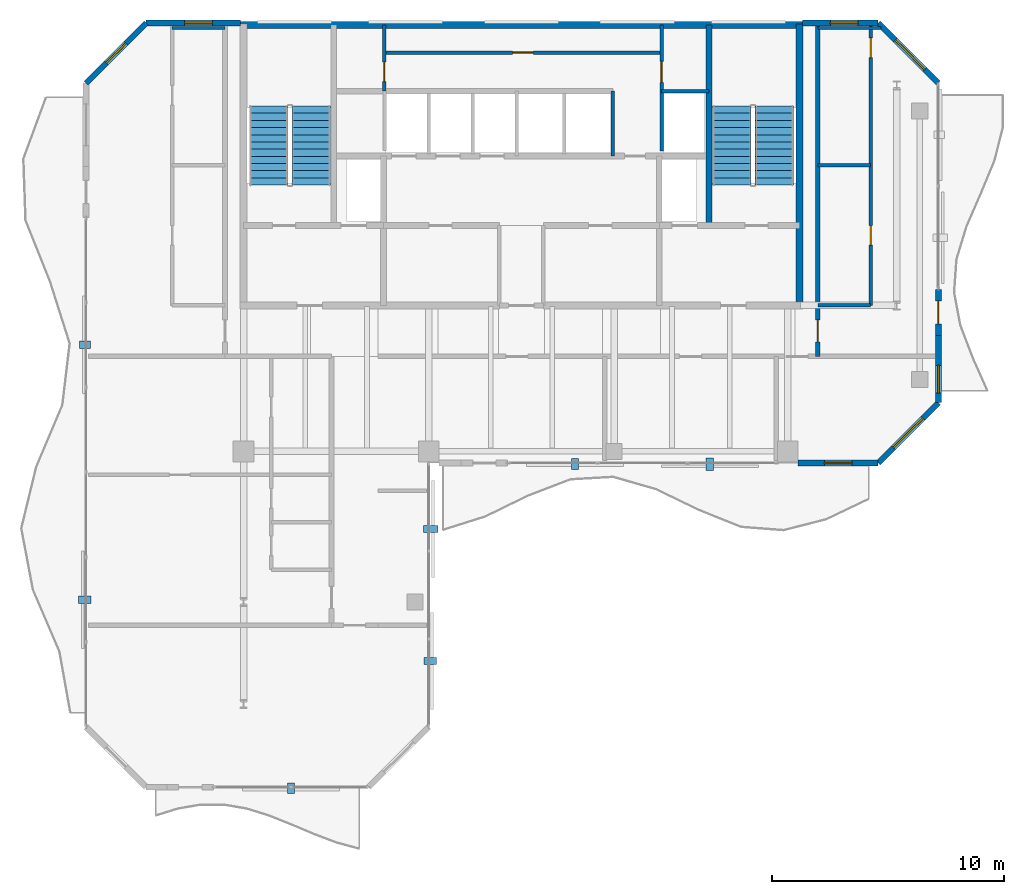
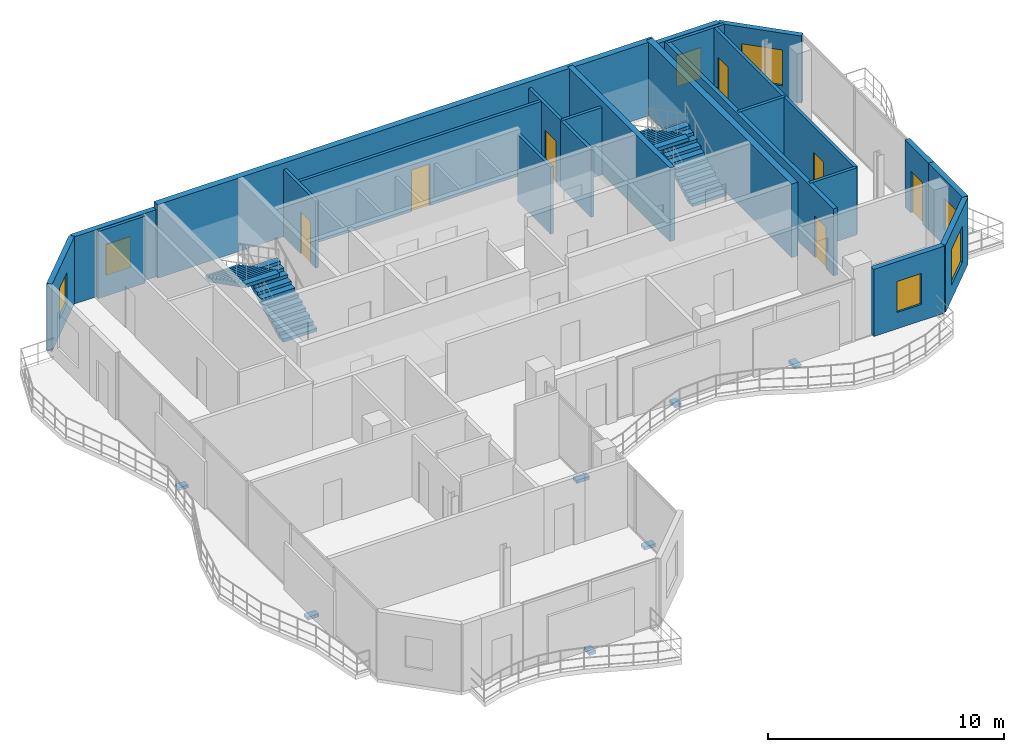
# One storey, part 13 of 16: 23 walls, 7 discrete accessories, 7 doors, 7 windows, 4 stair flights, 14 openings, 2 elements without a shape of their own.
"""IFC4 building model written with IfcOpenShell, lengths in metres."""

from ifc_helpers import new_model, si_unit, direction, frame, frame_2d, origin, origin_2d, place, context, subcontext, project, spatial, polyline, rectangle, outline, extrude, material, layer, layer_set, type_object, element, fill, aggregate, save


model = new_model("IFC4")

# Units and contexts
model_context = context("Model", 3, precision=1e-05, world=origin(), true_north=direction((0.0, 1.0)))
body_context = subcontext(model_context, "Body", "Model", "MODEL_VIEW")
ifc_project = project(units=[si_unit("LENGTHUNIT", "METRE"), si_unit("AREAUNIT", "SQUARE_METRE"), si_unit("VOLUMEUNIT", "CUBIC_METRE"), si_unit("PLANEANGLEUNIT", "RADIAN"), si_unit("MASSUNIT", "GRAM", prefix="KILO")], contexts=[model_context])

# Site, building, storey
site_placement = place(None, origin())
site = spatial("IfcSite", under=ifc_project, at=site_placement, CompositionType="ELEMENT")
building_placement = place(site_placement, origin())
building = spatial("IfcBuilding", under=site, at=building_placement, Name="Catumbela Crestline Tower", CompositionType="ELEMENT")
storey_placement = place(building_placement, frame((0.0, 0.0, 286.8)))
storey = spatial("IfcBuildingStorey", under=building, at=storey_placement, Name="L74", CompositionType="ELEMENT", Elevation=286.8)

# Walls
ifc_material_1 = material(Name="Concrete C50/60", Category="concrete")
ifc_layer_1 = layer(ifc_material_1, 0.25, Name="Concrete C50/60")
ifc_layer_set_1 = layer_set([ifc_layer_1], Name="Concrete C50/60")
wall_type_1 = type_object("IfcWallType", Name="CW-250D", PredefinedType="SHEAR", material=ifc_layer_set_1)
wall_1_placement = place(storey_placement, frame((36.1, 34.25, 0.0), z_axis=(0.0, 0.0, 1.0), x_axis=(0.0, 1.0, 0.0)))
element("IfcWall", 1, at=wall_1_placement, inside=storey, type_object=wall_type_1, Name="L74 Structural Core Shear Wall EWEB", PredefinedType="SHEAR", context=body_context, shape_type="SweptSolid", body=[
    extrude(rectangle(XDim=8.65, YDim=0.25, at=frame_2d((4.325, 0.0))), origin(), (0.0, 0.0, 1.0), 3.8),
])
ifc_material_2 = material(Name="Concrete C45/55", Category="concrete")
ifc_layer_2 = layer(ifc_material_2, 0.3, Name="Concrete C45/55")
ifc_layer_set_2 = layer_set([ifc_layer_2], Name="Concrete C45/55")
wall_type_2 = type_object("IfcWallType", Name="CW-300C", PredefinedType="SHEAR", material=ifc_layer_set_2)
wall_2_placement = place(storey_placement, frame((40.0, 30.65, 0.0), z_axis=(0.0, 0.0, 1.0), x_axis=(0.0, 1.0, 0.0)))
element("IfcWall", 2, at=wall_2_placement, inside=storey, type_object=wall_type_2, Name="L74 Structural Core Shear Wall E", PredefinedType="SHEAR", context=body_context, shape_type="SweptSolid", body=[
    extrude(rectangle(XDim=12.3, YDim=0.3, at=frame_2d((6.15, 0.0))), origin(), (0.0, 0.0, 1.0), 3.8),
])
ifc_layer_3 = layer(ifc_material_2, 0.3, Name="Concrete C45/55")
ifc_layer_set_3 = layer_set([ifc_layer_3], Name="Concrete C45/55")
wall_type_3 = type_object("IfcWallType", Name="CW-300E", PredefinedType="SHEAR", material=ifc_layer_set_3)
wall_3_placement = place(storey_placement, frame((15.85, 42.9, 0.0), z_axis=(0.0, 0.0, 1.0), x_axis=(1.0, 0.0, 0.0)))
element("IfcWall", 3, at=wall_3_placement, inside=storey, type_object=wall_type_3, Name="L74 Structural Core Shear Wall N", PredefinedType="SHEAR", context=body_context, shape_type="SweptSolid", body=[
    extrude(rectangle(XDim=24.3, YDim=0.3, at=frame_2d((12.15, 0.0))), origin(), (0.0, 0.0, 1.0), 3.8),
])

# Wall, opening, door
ifc_material_3 = material(Name="Acoustic gypsum and mineral-wool partition")
ifc_layer_4 = layer(ifc_material_3, 0.2, Name="Acoustic gypsum and mineral-wool partition")
ifc_layer_set_4 = layer_set([ifc_layer_4], Name="Acoustic gypsum and mineral-wool partition")
wall_type_4 = type_object("IfcWallType", Name="WC-200", PredefinedType="PARTITIONING", material=ifc_layer_set_4)
wall_4_placement = place(storey_placement, frame((40.8, 28.6, 0.0), z_axis=(0.0, 0.0, 1.0), x_axis=(0.0, 1.0, 0.0)))
wall_4 = element("IfcWall", 4, at=wall_4_placement, inside=storey, type_object=wall_type_4, Name="L74 Interior Partition PW-L74-NE1-ENT", PredefinedType="PARTITIONING", context=body_context, shape_type="SweptSolid", body=[
    extrude(rectangle(XDim=14.3, YDim=0.2, at=frame_2d((7.15, 0.0))), origin(), (0.0, 0.0, 1.0), 3.47),
])
opening_1_placement = place(wall_4_placement, frame((0.625, 0.0, 0.0)))
opening_1 = element("IfcOpeningElement", 5, at=opening_1_placement, cuts=wall_4, Name="Opening DF6-095", PredefinedType="OPENING", context=body_context, shape_type="SweptSolid", body=[
    extrude(rectangle(XDim=0.95, YDim=2.15, at=frame_2d((0.475, 1.075))), frame((0.0, 0.11, 0.0), z_axis=(0.0, -1.0, 0.0), x_axis=(1.0, 0.0, 0.0)), (0.0, 0.0, 1.0), 0.22),
])
ifc_material_4 = material(Name="Aluminium alloy AW-6060-T66", Category="aluminium")
door_type_1 = type_object("IfcDoorType", Name="DF6-095", OperationType="NOTDEFINED", PredefinedType="DOOR", material=ifc_material_4)
door_1_placement = place(opening_1_placement, origin())
door_1 = element("IfcDoor", 6, at=door_1_placement, inside=storey, type_object=door_type_1, Name="L74 Interior Door DR-L74-NE1-ENT", OperationType="SINGLE_SWING_LEFT", OverallHeight=2.15, OverallWidth=0.95, PredefinedType="DOOR", context=body_context, shape_type="SweptSolid", body=[
    extrude(rectangle(XDim=0.95, YDim=2.15, at=frame_2d((0.475, 1.075))), frame((0.0, 0.025, 0.0), z_axis=(0.0, -1.0, 0.0), x_axis=(1.0, 0.0, 0.0)), (0.0, 0.0, 1.0), 0.05),
])
fill(opening_1, door_1)

# Wall, opening, window
ifc_material_5 = material(Name="Angolan grey-ochre granite", Category="masonry")
ifc_layer_5 = layer(ifc_material_5, 0.25, Name="Angolan grey-ochre granite")
ifc_layer_set_5 = layer_set([ifc_layer_5], Name="Angolan grey-ochre granite")
wall_type_5 = type_object("IfcWallType", Name="WE-250", PredefinedType="STANDARD", material=ifc_layer_set_5)
wall_5_placement = place(storey_placement, frame((39.95, 24.0, 0.0), z_axis=(0.0, 0.0, 1.0), x_axis=(1.0, 0.0, 0.0)))
wall_5 = element("IfcWall", 7, at=wall_5_placement, inside=storey, type_object=wall_type_5, Name="L74 Granite Punched Window Wall 3-3", PredefinedType="STANDARD", context=body_context, shape_type="SweptSolid", body=[
    extrude(rectangle(XDim=3.45, YDim=0.25, at=frame_2d((1.725, 0.0))), origin(), (0.0, 0.0, 1.0), 3.47),
])
opening_2_placement = place(wall_5_placement, frame((1.125, 0.0, 0.85)))
opening_2 = element("IfcOpeningElement", 8, at=opening_2_placement, cuts=wall_5, Name="Opening WN-02", PredefinedType="OPENING", context=body_context, shape_type="SweptSolid", body=[
    extrude(rectangle(XDim=1.2, YDim=1.6, at=frame_2d((0.6, 0.8))), frame((0.0, 0.135, 0.0), z_axis=(0.0, -1.0, 0.0), x_axis=(1.0, 0.0, 0.0)), (0.0, 0.0, 1.0), 0.27),
])
ifc_material_6 = material(Name="Low-E laminated solar-control double glazing", Category="glass")
window_type_1 = type_object("IfcWindowType", Name="WO-1200", PartitioningType="SINGLE_PANEL", PredefinedType="WINDOW", material=ifc_material_6)
window_1_placement = place(opening_2_placement, origin())
window_1 = element("IfcWindow", 9, at=window_1_placement, inside=storey, type_object=window_type_1, Name="L74 Facade Vision Window 602", OverallHeight=1.6, OverallWidth=1.2, PartitioningType="SINGLE_PANEL", PredefinedType="WINDOW", context=body_context, shape_type="SweptSolid", body=[
    extrude(rectangle(XDim=1.2, YDim=1.6, at=frame_2d((0.6, 0.8))), frame((0.0, 0.03, 0.0), z_axis=(0.0, -1.0, 0.0), x_axis=(1.0, 0.0, 0.0)), (0.0, 0.0, 1.0), 0.06),
])
fill(opening_2, window_1)

wall_6_placement = place(storey_placement, frame((43.4, 24.0, 0.0), z_axis=(0.0, 0.0, 1.0), x_axis=(0.707106781187, 0.707106781187, 0.0)))
wall_6 = element("IfcWall", 10, at=wall_6_placement, inside=storey, type_object=wall_type_5, Name="L74 Granite Punched Window Wall 4-1", PredefinedType="STANDARD", context=body_context, shape_type="SweptSolid", body=[
    extrude(rectangle(XDim=3.677, YDim=0.25, at=frame_2d((1.8385, 0.0))), origin(), (0.0, 0.0, 1.0), 3.47),
])
opening_3_placement = place(wall_6_placement, frame((0.9385, 0.0, 0.75)))
opening_3 = element("IfcOpeningElement", 11, at=opening_3_placement, cuts=wall_6, Name="Opening WN-01", PredefinedType="OPENING", context=body_context, shape_type="SweptSolid", body=[
    extrude(rectangle(XDim=1.8, YDim=1.85, at=frame_2d((0.9, 0.925))), frame((0.0, 0.135, 0.0), z_axis=(0.0, -1.0, 0.0), x_axis=(1.0, 0.0, 0.0)), (0.0, 0.0, 1.0), 0.27),
])
window_type_2 = type_object("IfcWindowType", Name="WF-1800", PartitioningType="SINGLE_PANEL", PredefinedType="WINDOW", material=ifc_material_6)
window_2_placement = place(opening_3_placement, origin())
window_2 = element("IfcWindow", 12, at=window_2_placement, inside=storey, type_object=window_type_2, Name="L74 Facade Vision Window 603", OverallHeight=1.85, OverallWidth=1.8, PartitioningType="SINGLE_PANEL", PredefinedType="WINDOW", context=body_context, shape_type="SweptSolid", body=[
    extrude(rectangle(XDim=1.8, YDim=1.85, at=frame_2d((0.9, 0.925))), frame((0.0, 0.03, 0.0), z_axis=(0.0, -1.0, 0.0), x_axis=(1.0, 0.0, 0.0)), (0.0, 0.0, 1.0), 0.06),
])
fill(opening_3, window_2)

# Wall, opening, door
wall_7_placement = place(storey_placement, frame((46.0, 29.5, 0.0), z_axis=(0.0, 0.0, 1.0), x_axis=(0.0, 1.0, 0.0)))
wall_7 = element("IfcWall", 13, at=wall_7_placement, inside=storey, type_object=wall_type_5, Name="L74 Exterior Threshold Portal Wall DR-L74-WBAL-2", PredefinedType="STANDARD", context=body_context, shape_type="SweptSolid", body=[
    extrude(rectangle(XDim=2.0, YDim=0.25, at=frame_2d((1.0, 0.0))), origin(), (0.0, 0.0, 1.0), 3.47),
])
opening_4_placement = place(wall_7_placement, frame((0.5, 0.0, 0.0)))
opening_4 = element("IfcOpeningElement", 14, at=opening_4_placement, cuts=wall_7, Name="Opening DB-L74-2", PredefinedType="OPENING", context=body_context, shape_type="SweptSolid", body=[
    extrude(rectangle(XDim=1.0, YDim=2.15, at=frame_2d((0.5, 1.075))), frame((0.0, 0.135, 0.0), z_axis=(0.0, -1.0, 0.0), x_axis=(1.0, 0.0, 0.0)), (0.0, 0.0, 1.0), 0.27),
])
door_type_2 = type_object("IfcDoorType", Name="DB-1000", OperationType="NOTDEFINED", PredefinedType="DOOR", material=ifc_material_4)
door_2_placement = place(opening_4_placement, origin())
door_2 = element("IfcDoor", 15, at=door_2_placement, inside=storey, type_object=door_type_2, Name="L74 Wave Balcony Terrace Door 2", OperationType="SINGLE_SWING_LEFT", OverallHeight=2.15, OverallWidth=1.0, PredefinedType="DOOR", context=body_context, shape_type="SweptSolid", body=[
    extrude(rectangle(XDim=1.0, YDim=2.15, at=frame_2d((0.5, 1.075))), frame((0.0, 0.025, 0.0), z_axis=(0.0, -1.0, 0.0), x_axis=(1.0, 0.0, 0.0)), (0.0, 0.0, 1.0), 0.05),
])
fill(opening_4, door_2)

# Wall, opening, window
wall_8_placement = place(storey_placement, frame((46.0, 26.6, 0.0), z_axis=(0.0, 0.0, 1.0), x_axis=(0.0, 1.0, 0.0)))
wall_8 = element("IfcWall", 16, at=wall_8_placement, inside=storey, type_object=wall_type_5, Name="L74 Granite Punched Window Wall 5-1", PredefinedType="STANDARD", context=body_context, shape_type="SweptSolid", body=[
    extrude(rectangle(XDim=2.9, YDim=0.25, at=frame_2d((1.45, 0.0))), origin(), (0.0, 0.0, 1.0), 3.47),
])
opening_5_placement = place(wall_8_placement, frame((0.41, 0.0, 0.85)))
opening_5 = element("IfcOpeningElement", 17, at=opening_5_placement, cuts=wall_8, Name="Opening WN-02", PredefinedType="OPENING", context=body_context, shape_type="SweptSolid", body=[
    extrude(rectangle(XDim=1.2, YDim=1.6, at=frame_2d((0.6, 0.8))), frame((0.0, 0.135, 0.0), z_axis=(0.0, -1.0, 0.0), x_axis=(1.0, 0.0, 0.0)), (0.0, 0.0, 1.0), 0.27),
])
window_3_placement = place(opening_5_placement, origin())
window_3 = element("IfcWindow", 18, at=window_3_placement, inside=storey, type_object=window_type_1, Name="L74 Facade Vision Window 604", OverallHeight=1.6, OverallWidth=1.2, PartitioningType="SINGLE_PANEL", PredefinedType="WINDOW", context=body_context, shape_type="SweptSolid", body=[
    extrude(rectangle(XDim=1.2, YDim=1.6, at=frame_2d((0.6, 0.8))), frame((0.0, 0.03, 0.0), z_axis=(0.0, -1.0, 0.0), x_axis=(1.0, 0.0, 0.0)), (0.0, 0.0, 1.0), 0.06),
])
fill(opening_5, window_3)

wall_9_placement = place(storey_placement, frame((46.0, 40.4, 0.0), z_axis=(0.0, 0.0, 1.0), x_axis=(-0.707106781187, 0.707106781187, 0.0)))
wall_9 = element("IfcWall", 19, at=wall_9_placement, inside=storey, type_object=wall_type_5, Name="L74 Granite Punched Window Wall 6-1", PredefinedType="STANDARD", context=body_context, shape_type="SweptSolid", body=[
    extrude(rectangle(XDim=3.677, YDim=0.25, at=frame_2d((1.8385, 0.0))), origin(), (0.0, 0.0, 1.0), 3.47),
])
opening_6_placement = place(wall_9_placement, frame((0.8283, 0.0, 0.75)))
opening_6 = element("IfcOpeningElement", 20, at=opening_6_placement, cuts=wall_9, Name="Opening WN-01", PredefinedType="OPENING", context=body_context, shape_type="SweptSolid", body=[
    extrude(rectangle(XDim=1.8, YDim=1.85, at=frame_2d((0.9, 0.925))), frame((0.0, 0.135, 0.0), z_axis=(0.0, -1.0, 0.0), x_axis=(1.0, 0.0, 0.0)), (0.0, 0.0, 1.0), 0.27),
])
window_4_placement = place(opening_6_placement, origin())
window_4 = element("IfcWindow", 21, at=window_4_placement, inside=storey, type_object=window_type_2, Name="L74 Facade Vision Window 605", OverallHeight=1.85, OverallWidth=1.8, PartitioningType="SINGLE_PANEL", PredefinedType="WINDOW", context=body_context, shape_type="SweptSolid", body=[
    extrude(rectangle(XDim=1.8, YDim=1.85, at=frame_2d((0.9, 0.925))), frame((0.0, 0.03, 0.0), z_axis=(0.0, -1.0, 0.0), x_axis=(1.0, 0.0, 0.0)), (0.0, 0.0, 1.0), 0.06),
])
fill(opening_6, window_4)

wall_10_placement = place(storey_placement, frame((43.4, 43.0, 0.0), z_axis=(0.0, 0.0, 1.0), x_axis=(-1.0, 0.0, 0.0)))
wall_10 = element("IfcWall", 22, at=wall_10_placement, inside=storey, type_object=wall_type_5, Name="L74 Granite Punched Window Wall 7-1", PredefinedType="STANDARD", context=body_context, shape_type="SweptSolid", body=[
    extrude(rectangle(XDim=3.26, YDim=0.25, at=frame_2d((1.63, 0.0))), origin(), (0.0, 0.0, 1.0), 3.47),
])
opening_7_placement = place(wall_10_placement, frame((0.86, 0.0, 0.85)))
opening_7 = element("IfcOpeningElement", 23, at=opening_7_placement, cuts=wall_10, Name="Opening WN-02", PredefinedType="OPENING", context=body_context, shape_type="SweptSolid", body=[
    extrude(rectangle(XDim=1.2, YDim=1.6, at=frame_2d((0.6, 0.8))), frame((0.0, 0.135, 0.0), z_axis=(0.0, -1.0, 0.0), x_axis=(1.0, 0.0, 0.0)), (0.0, 0.0, 1.0), 0.27),
])
window_5_placement = place(opening_7_placement, origin())
window_5 = element("IfcWindow", 24, at=window_5_placement, inside=storey, type_object=window_type_1, Name="L74 Facade Vision Window 606", OverallHeight=1.6, OverallWidth=1.2, PartitioningType="SINGLE_PANEL", PredefinedType="WINDOW", context=body_context, shape_type="SweptSolid", body=[
    extrude(rectangle(XDim=1.2, YDim=1.6, at=frame_2d((0.6, 0.8))), frame((0.0, 0.03, 0.0), z_axis=(0.0, -1.0, 0.0), x_axis=(1.0, 0.0, 0.0)), (0.0, 0.0, 1.0), 0.06),
])
fill(opening_7, window_5)

wall_11_placement = place(storey_placement, frame((15.86, 43.0, 0.0), z_axis=(0.0, 0.0, 1.0), x_axis=(-1.0, 0.0, 0.0)))
wall_11 = element("IfcWall", 25, at=wall_11_placement, inside=storey, type_object=wall_type_5, Name="L74 Granite Punched Window Wall 7-2", PredefinedType="STANDARD", context=body_context, shape_type="SweptSolid", body=[
    extrude(rectangle(XDim=4.06, YDim=0.25, at=frame_2d((2.03, 0.0))), origin(), (0.0, 0.0, 1.0), 3.47),
])
opening_8_placement = place(wall_11_placement, frame((1.2, 0.0, 0.85)))
opening_8 = element("IfcOpeningElement", 26, at=opening_8_placement, cuts=wall_11, Name="Opening WN-02", PredefinedType="OPENING", context=body_context, shape_type="SweptSolid", body=[
    extrude(rectangle(XDim=1.2, YDim=1.6, at=frame_2d((0.6, 0.8))), frame((0.0, 0.135, 0.0), z_axis=(0.0, -1.0, 0.0), x_axis=(1.0, 0.0, 0.0)), (0.0, 0.0, 1.0), 0.27),
])
window_6_placement = place(opening_8_placement, origin())
window_6 = element("IfcWindow", 27, at=window_6_placement, inside=storey, type_object=window_type_1, Name="L74 Facade Vision Window 607", OverallHeight=1.6, OverallWidth=1.2, PartitioningType="SINGLE_PANEL", PredefinedType="WINDOW", context=body_context, shape_type="SweptSolid", body=[
    extrude(rectangle(XDim=1.2, YDim=1.6, at=frame_2d((0.6, 0.8))), frame((0.0, 0.03, 0.0), z_axis=(0.0, -1.0, 0.0), x_axis=(1.0, 0.0, 0.0)), (0.0, 0.0, 1.0), 0.06),
])
fill(opening_8, window_6)

wall_12_placement = place(storey_placement, frame((11.8, 43.0, 0.0), z_axis=(0.0, 0.0, 1.0), x_axis=(-0.707106781187, -0.707106781187, 0.0)))
wall_12 = element("IfcWall", 28, at=wall_12_placement, inside=storey, type_object=wall_type_5, Name="L74 Granite Punched Window Wall 8-1", PredefinedType="STANDARD", context=body_context, shape_type="SweptSolid", body=[
    extrude(rectangle(XDim=3.677, YDim=0.25, at=frame_2d((1.8385, 0.0))), origin(), (0.0, 0.0, 1.0), 3.47),
])
opening_9_placement = place(wall_12_placement, frame((1.2385, 0.0, 0.85)))
opening_9 = element("IfcOpeningElement", 29, at=opening_9_placement, cuts=wall_12, Name="Opening WN-02", PredefinedType="OPENING", context=body_context, shape_type="SweptSolid", body=[
    extrude(rectangle(XDim=1.2, YDim=1.6, at=frame_2d((0.6, 0.8))), frame((0.0, 0.135, 0.0), z_axis=(0.0, -1.0, 0.0), x_axis=(1.0, 0.0, 0.0)), (0.0, 0.0, 1.0), 0.27),
])
window_7_placement = place(opening_9_placement, origin())
window_7 = element("IfcWindow", 30, at=window_7_placement, inside=storey, type_object=window_type_1, Name="L74 Facade Vision Window 608", OverallHeight=1.6, OverallWidth=1.2, PartitioningType="SINGLE_PANEL", PredefinedType="WINDOW", context=body_context, shape_type="SweptSolid", body=[
    extrude(rectangle(XDim=1.2, YDim=1.6, at=frame_2d((0.6, 0.8))), frame((0.0, 0.03, 0.0), z_axis=(0.0, -1.0, 0.0), x_axis=(1.0, 0.0, 0.0)), (0.0, 0.0, 1.0), 0.06),
])
fill(opening_9, window_7)

# Wall
ifc_layer_6 = layer(ifc_material_3, 0.15, Name="Acoustic gypsum and mineral-wool partition")
ifc_layer_set_6 = layer_set([ifc_layer_6], Name="Acoustic gypsum and mineral-wool partition")
wall_type_6 = type_object("IfcWallType", Name="WP-150", PredefinedType="PARTITIONING", material=ifc_layer_set_6)
wall_13_placement = place(storey_placement, frame((34.05, 40.05, 0.0), z_axis=(0.0, 0.0, 1.0), x_axis=(1.0, 0.0, 0.0)))
element("IfcWall", 31, at=wall_13_placement, inside=storey, type_object=wall_type_6, Name="L74 Interior Partition PW-L74-CR-ES", PredefinedType="PARTITIONING", context=body_context, shape_type="SweptSolid", body=[
    extrude(rectangle(XDim=2.05, YDim=0.15, at=frame_2d((1.025, 0.0))), origin(), (0.0, 0.0, 1.0), 3.47),
])

# Wall, opening, door
wall_14_placement = place(storey_placement, frame((34.05, 40.05, 0.0), z_axis=(0.0, 0.0, 1.0), x_axis=(0.0, 1.0, 0.0)))
wall_14 = element("IfcWall", 32, at=wall_14_placement, inside=storey, type_object=wall_type_6, Name="L74 Interior Partition PW-L74-CR-EW", PredefinedType="PARTITIONING", context=body_context, shape_type="SweptSolid", body=[
    extrude(rectangle(XDim=2.85, YDim=0.15, at=frame_2d((1.425, 0.0))), origin(), (0.0, 0.0, 1.0), 3.47),
])
opening_10_placement = place(wall_14_placement, frame((0.385, 0.0, 0.0)))
opening_10 = element("IfcOpeningElement", 33, at=opening_10_placement, cuts=wall_14, Name="Opening DF9-090", PredefinedType="OPENING", context=body_context, shape_type="SweptSolid", body=[
    extrude(rectangle(XDim=0.9, YDim=2.15, at=frame_2d((0.45, 1.075))), frame((0.0, 0.085, 0.0), z_axis=(0.0, -1.0, 0.0), x_axis=(1.0, 0.0, 0.0)), (0.0, 0.0, 1.0), 0.17),
])
ifc_material_7 = material(Name="Stainless steel EN 1.4401", Category="steel")
door_type_3 = type_object("IfcDoorType", Name="DF9-090", OperationType="NOTDEFINED", PredefinedType="DOOR", material=ifc_material_7)
door_3_placement = place(opening_10_placement, origin())
door_3 = element("IfcDoor", 34, at=door_3_placement, inside=storey, type_object=door_type_3, Name="L74 Interior Door DR-L74-CREAST", OperationType="SINGLE_SWING_RIGHT", OverallHeight=2.15, OverallWidth=0.9, PredefinedType="DOOR", context=body_context, shape_type="SweptSolid", body=[
    extrude(rectangle(XDim=0.9, YDim=2.15, at=frame_2d((0.45, 1.075))), frame((0.0, 0.025, 0.0), z_axis=(0.0, -1.0, 0.0), x_axis=(1.0, 0.0, 0.0)), (0.0, 0.0, 1.0), 0.05),
])
fill(opening_10, door_3)

wall_15_placement = place(storey_placement, frame((22.08, 40.05, 0.0), z_axis=(0.0, 0.0, 1.0), x_axis=(0.0, 1.0, 0.0)))
wall_15 = element("IfcWall", 35, at=wall_15_placement, inside=storey, type_object=wall_type_6, Name="L74 Interior Partition PW-L74-CR-WCW", PredefinedType="PARTITIONING", context=body_context, shape_type="SweptSolid", body=[
    extrude(rectangle(XDim=2.85, YDim=0.15, at=frame_2d((1.425, 0.0))), origin(), (0.0, 0.0, 1.0), 3.47),
])
opening_11_placement = place(wall_15_placement, frame((0.41, 0.0, 0.0)))
opening_11 = element("IfcOpeningElement", 36, at=opening_11_placement, cuts=wall_15, Name="Opening DI-085", PredefinedType="OPENING", context=body_context, shape_type="SweptSolid", body=[
    extrude(rectangle(XDim=0.85, YDim=2.15, at=frame_2d((0.425, 1.075))), frame((0.0, 0.085, 0.0), z_axis=(0.0, -1.0, 0.0), x_axis=(1.0, 0.0, 0.0)), (0.0, 0.0, 1.0), 0.17),
])
door_type_4 = type_object("IfcDoorType", Name="DI-085", OperationType="NOTDEFINED", PredefinedType="DOOR", material=ifc_material_4)
door_4_placement = place(opening_11_placement, origin())
door_4 = element("IfcDoor", 37, at=door_4_placement, inside=storey, type_object=door_type_4, Name="L74 Interior Door DR-L74-CRWC", OperationType="SINGLE_SWING_LEFT", OverallHeight=2.15, OverallWidth=0.85, PredefinedType="DOOR", context=body_context, shape_type="SweptSolid", body=[
    extrude(rectangle(XDim=0.85, YDim=2.15, at=frame_2d((0.425, 1.075))), frame((0.0, 0.025, 0.0), z_axis=(0.0, -1.0, 0.0), x_axis=(1.0, 0.0, 0.0)), (0.0, 0.0, 1.0), 0.05),
])
fill(opening_11, door_4)

wall_16_placement = place(storey_placement, frame((22.08, 41.72, 0.0), z_axis=(0.0, 0.0, 1.0), x_axis=(1.0, 0.0, 0.0)))
wall_16 = element("IfcWall", 38, at=wall_16_placement, inside=storey, type_object=wall_type_6, Name="L74 Interior Partition PW-L74-CR-MID", PredefinedType="PARTITIONING", context=body_context, shape_type="SweptSolid", body=[
    extrude(rectangle(XDim=11.97, YDim=0.15, at=frame_2d((5.985, 0.0))), origin(), (0.0, 0.0, 1.0), 3.47),
])
opening_12_placement = place(wall_16_placement, frame((5.535, 0.0, 0.0)))
opening_12 = element("IfcOpeningElement", 39, at=opening_12_placement, cuts=wall_16, Name="Opening DF9-090", PredefinedType="OPENING", context=body_context, shape_type="SweptSolid", body=[
    extrude(rectangle(XDim=0.9, YDim=2.15, at=frame_2d((0.45, 1.075))), frame((0.0, 0.085, 0.0), z_axis=(0.0, -1.0, 0.0), x_axis=(1.0, 0.0, 0.0)), (0.0, 0.0, 1.0), 0.17),
])
door_5_placement = place(opening_12_placement, origin())
door_5 = element("IfcDoor", 40, at=door_5_placement, inside=storey, type_object=door_type_3, Name="L74 Interior Door DR-L74-CRMID", OperationType="SINGLE_SWING_LEFT", OverallHeight=2.15, OverallWidth=0.9, PredefinedType="DOOR", context=body_context, shape_type="SweptSolid", body=[
    extrude(rectangle(XDim=0.9, YDim=2.15, at=frame_2d((0.45, 1.075))), frame((0.0, 0.025, 0.0), z_axis=(0.0, -1.0, 0.0), x_axis=(1.0, 0.0, 0.0)), (0.0, 0.0, 1.0), 0.05),
])
fill(opening_12, door_5)

# Walls
for number, where, z_axis, x_axis, name in (
    (41, (12.92, 42.78, 0.0), (0.0, 0.0, 1.0), (1.0, 0.0, 0.0), "L74 Interior Partition PW-L74-NW1-BTH-BCL-2"),
    (42, (40.8, 30.8, 0.0), (0.0, 0.0, 1.0), (1.0, 0.0, 0.0), "L74 Interior Partition PW-L74-NE1-KBS"),
    (43, (40.8, 36.85, 0.0), (0.0, 0.0, 1.0), (1.0, 0.0, 0.0), "L74 Interior Partition PW-L74-NE1-KBM"),
):
    element("IfcWall", number, at=place(storey_placement, frame(where, z_axis=z_axis, x_axis=x_axis)), inside=storey, type_object=wall_type_6, Name=name, PredefinedType="PARTITIONING", context=body_context, shape_type="SweptSolid", body=[
        extrude(rectangle(XDim=2.28, YDim=0.15, at=frame_2d((1.14, 0.0))), origin(), (0.0, 0.0, 1.0), 3.47),
    ])

# Wall, openings, doors
wall_17_placement = place(storey_placement, frame((43.08, 30.8, 0.0), z_axis=(0.0, 0.0, 1.0), x_axis=(0.0, 1.0, 0.0)))
wall_17 = element("IfcWall", 44, at=wall_17_placement, inside=storey, type_object=wall_type_6, Name="L74 Interior Partition PW-L74-NE1-SK1", PredefinedType="PARTITIONING", context=body_context, shape_type="SweptSolid", body=[
    extrude(rectangle(XDim=12.1, YDim=0.15, at=frame_2d((6.05, 0.0))), origin(), (0.0, 0.0, 1.0), 3.47),
])
opening_13_placement = place(wall_17_placement, frame((2.6, 0.0, 0.0)))
opening_13 = element("IfcOpeningElement", 45, at=opening_13_placement, cuts=wall_17, Name="Opening DI-085", PredefinedType="OPENING", context=body_context, shape_type="SweptSolid", body=[
    extrude(rectangle(XDim=0.85, YDim=2.15, at=frame_2d((0.425, 1.075))), frame((0.0, 0.085, 0.0), z_axis=(0.0, -1.0, 0.0), x_axis=(1.0, 0.0, 0.0)), (0.0, 0.0, 1.0), 0.17),
])
opening_14_placement = place(wall_17_placement, frame((10.7036, 0.0, 0.0)))
opening_14 = element("IfcOpeningElement", 46, at=opening_14_placement, cuts=wall_17, Name="Opening DI-085", PredefinedType="OPENING", context=body_context, shape_type="SweptSolid", body=[
    extrude(rectangle(XDim=0.85, YDim=2.15, at=frame_2d((0.425, 1.075))), frame((0.0, 0.085, 0.0), z_axis=(0.0, -1.0, 0.0), x_axis=(1.0, 0.0, 0.0)), (0.0, 0.0, 1.0), 0.17),
])
door_6_placement = place(opening_13_placement, origin())
door_6 = element("IfcDoor", 47, at=door_6_placement, inside=storey, type_object=door_type_4, Name="L74 Interior Door DR-L74-NE1-KIT", OperationType="SINGLE_SWING_LEFT", OverallHeight=2.15, OverallWidth=0.85, PredefinedType="DOOR", context=body_context, shape_type="SweptSolid", body=[
    extrude(rectangle(XDim=0.85, YDim=2.15, at=frame_2d((0.425, 1.075))), frame((0.0, 0.025, 0.0), z_axis=(0.0, -1.0, 0.0), x_axis=(1.0, 0.0, 0.0)), (0.0, 0.0, 1.0), 0.05),
])
fill(opening_13, door_6)
door_7_placement = place(opening_14_placement, origin())
door_7 = element("IfcDoor", 48, at=door_7_placement, inside=storey, type_object=door_type_4, Name="L74 Interior Door DR-L74-NE1-BTH", OperationType="SINGLE_SWING_RIGHT", OverallHeight=2.15, OverallWidth=0.85, PredefinedType="DOOR", context=body_context, shape_type="SweptSolid", body=[
    extrude(rectangle(XDim=0.85, YDim=2.15, at=frame_2d((0.425, 1.075))), frame((0.0, 0.025, 0.0), z_axis=(0.0, -1.0, 0.0), x_axis=(1.0, 0.0, 0.0)), (0.0, 0.0, 1.0), 0.05),
])
fill(opening_14, door_7)

# Walls
wall_18_placement = place(storey_placement, frame((40.8, 42.78, 0.0), z_axis=(0.0, 0.0, 1.0), x_axis=(1.0, 0.0, 0.0)))
element("IfcWall", 49, at=wall_18_placement, inside=storey, type_object=wall_type_6, Name="L74 Interior Partition PW-L74-NE1-BTH-BCL-2", PredefinedType="PARTITIONING", context=body_context, shape_type="SweptSolid", body=[
    extrude(rectangle(XDim=2.72, YDim=0.15, at=frame_2d((1.36, 0.0))), origin(), (0.0, 0.0, 1.0), 3.47),
])
ifc_layer_7 = layer(ifc_material_3, 0.15, Name="Acoustic gypsum and mineral-wool partition")
ifc_layer_set_7 = layer_set([ifc_layer_7], Name="Acoustic gypsum and mineral-wool partition")
wall_type_7 = type_object("IfcWallType", Name="WS-150", PredefinedType="PLUMBINGWALL", material=ifc_layer_set_7)
wall_19_placement = place(storey_placement, frame((31.95, 37.25, 0.0), z_axis=(0.0, 0.0, 1.0), x_axis=(0.0, 1.0, 0.0)))
element("IfcWall", 50, at=wall_19_placement, inside=storey, type_object=wall_type_7, Name="L74 Interior Partition PW-L74-SHEX2E", PredefinedType="PLUMBINGWALL", context=body_context, shape_type="SweptSolid", body=[
    extrude(rectangle(XDim=2.8, YDim=0.15, at=frame_2d((1.4, 0.0))), origin(), (0.0, 0.0, 1.0), 3.47),
])
wall_20_placement = place(storey_placement, frame((34.05, 37.4734, 0.0), z_axis=(0.0, 0.0, 1.0), x_axis=(0.0, 1.0, 0.0)))
element("IfcWall", 51, at=wall_20_placement, inside=storey, type_object=wall_type_7, Name="L74 Interior Partition PW-L74-RISW", PredefinedType="PLUMBINGWALL", context=body_context, shape_type="SweptSolid", body=[
    extrude(rectangle(XDim=2.5766, YDim=0.15, at=frame_2d((1.2883, 0.0))), origin(), (0.0, 0.0, 1.0), 3.47),
])

# Stair, stair flights
stair_type = type_object("IfcStairType", Name="ST-DLG", PredefinedType="HALF_TURN_STAIR", material=ifc_material_2)
stair_1_placement = place(storey_placement, origin())
stair_1 = element("IfcStair", 52, at=stair_1_placement, inside=storey, type_object=stair_type, Name="L74 West Core Pressurised Exit Stair ST-01", PredefinedType="HALF_TURN_STAIR")
stair_flight_type = type_object("IfcStairFlightType", Name="SF-1583", PredefinedType="STRAIGHT", material=ifc_material_2)
stair_flight_1_placement = place(storey_placement, frame((18.92, 36.0, 0.0), z_axis=(0.0, 0.0, 1.0), x_axis=(0.0, 1.0, 0.0)))
stair_flight_1 = element("IfcStairFlight", 53, at=stair_flight_1_placement, type_object=stair_flight_type, Name="ST-01 flight 1", NumberOfRisers=12, NumberOfTreads=11, PredefinedType="STRAIGHT", RiserHeight=0.158333333, TreadLength=0.31, context=body_context, shape_type="SweptSolid", body=[
    extrude(outline(polyline([(0.0, 0.0), (0.0, 0.1583), (0.31, 0.1583), (0.31, 0.3167), (0.62, 0.3167), (0.62, 0.475), (0.93, 0.475), (0.93, 0.6333), (1.24, 0.6333), (1.24, 0.7917), (1.55, 0.7917), (1.55, 0.95), (1.86, 0.95), (1.86, 1.1083), (2.17, 1.1083), (2.17, 1.2667), (2.48, 1.2667), (2.48, 1.425), (2.79, 1.425), (2.79, 1.5833), (3.1, 1.5833), (3.1, 1.7417), (3.41, 1.7417), (3.41, 1.9), (3.41, 1.562), (0.3518, 0.0), (0.0, 0.0)])), frame((0.0, 0.83, 0.0), z_axis=(0.0, -1.0, 0.0), x_axis=(1.0, 0.0, 0.0)), (0.0, 0.0, 1.0), 1.66),
])
stair_flight_2_placement = place(storey_placement, frame((17.08, 39.41, 1.9), z_axis=(0.0, 0.0, 1.0), x_axis=(0.0, -1.0, 0.0)))
stair_flight_2 = element("IfcStairFlight", 54, at=stair_flight_2_placement, type_object=stair_flight_type, Name="ST-01 flight 2", NumberOfRisers=12, NumberOfTreads=11, PredefinedType="STRAIGHT", RiserHeight=0.158333333, TreadLength=0.31, context=body_context, shape_type="SweptSolid", body=[
    extrude(outline(polyline([(0.0, 0.0), (0.0, 0.1583), (0.31, 0.1583), (0.31, 0.3167), (0.62, 0.3167), (0.62, 0.475), (0.93, 0.475), (0.93, 0.6333), (1.24, 0.6333), (1.24, 0.7917), (1.55, 0.7917), (1.55, 0.95), (1.86, 0.95), (1.86, 1.1083), (2.17, 1.1083), (2.17, 1.2667), (2.48, 1.2667), (2.48, 1.425), (2.79, 1.425), (2.79, 1.5833), (3.1, 1.5833), (3.1, 1.7417), (3.41, 1.7417), (3.41, 1.9), (3.41, 1.562), (0.3518, 0.0), (0.0, 0.0)])), frame((0.0, 0.83, 0.0), z_axis=(0.0, -1.0, 0.0), x_axis=(1.0, 0.0, 0.0)), (0.0, 0.0, 1.0), 1.66),
])
aggregate(stair_1, [stair_flight_1, stair_flight_2])

stair_2_placement = place(storey_placement, origin())
stair_2 = element("IfcStair", 55, at=stair_2_placement, inside=storey, type_object=stair_type, Name="L74 East Core Pressurised Exit Stair ST-02", PredefinedType="HALF_TURN_STAIR")
stair_flight_3_placement = place(storey_placement, frame((38.92, 36.0, 0.0), z_axis=(0.0, 0.0, 1.0), x_axis=(0.0, 1.0, 0.0)))
stair_flight_3 = element("IfcStairFlight", 56, at=stair_flight_3_placement, type_object=stair_flight_type, Name="ST-02 flight 1", NumberOfRisers=12, NumberOfTreads=11, PredefinedType="STRAIGHT", RiserHeight=0.158333333, TreadLength=0.31, context=body_context, shape_type="SweptSolid", body=[
    extrude(outline(polyline([(0.0, 0.0), (0.0, 0.1583), (0.31, 0.1583), (0.31, 0.3167), (0.62, 0.3167), (0.62, 0.475), (0.93, 0.475), (0.93, 0.6333), (1.24, 0.6333), (1.24, 0.7917), (1.55, 0.7917), (1.55, 0.95), (1.86, 0.95), (1.86, 1.1083), (2.17, 1.1083), (2.17, 1.2667), (2.48, 1.2667), (2.48, 1.425), (2.79, 1.425), (2.79, 1.5833), (3.1, 1.5833), (3.1, 1.7417), (3.41, 1.7417), (3.41, 1.9), (3.41, 1.562), (0.3518, 0.0), (0.0, 0.0)])), frame((0.0, 0.83, 0.0), z_axis=(0.0, -1.0, 0.0), x_axis=(1.0, 0.0, 0.0)), (0.0, 0.0, 1.0), 1.66),
])
stair_flight_4_placement = place(storey_placement, frame((37.08, 39.41, 1.9), z_axis=(0.0, 0.0, 1.0), x_axis=(0.0, -1.0, 0.0)))
stair_flight_4 = element("IfcStairFlight", 57, at=stair_flight_4_placement, type_object=stair_flight_type, Name="ST-02 flight 2", NumberOfRisers=12, NumberOfTreads=11, PredefinedType="STRAIGHT", RiserHeight=0.158333333, TreadLength=0.31, context=body_context, shape_type="SweptSolid", body=[
    extrude(outline(polyline([(0.0, 0.0), (0.0, 0.1583), (0.31, 0.1583), (0.31, 0.3167), (0.62, 0.3167), (0.62, 0.475), (0.93, 0.475), (0.93, 0.6333), (1.24, 0.6333), (1.24, 0.7917), (1.55, 0.7917), (1.55, 0.95), (1.86, 0.95), (1.86, 1.1083), (2.17, 1.1083), (2.17, 1.2667), (2.48, 1.2667), (2.48, 1.425), (2.79, 1.425), (2.79, 1.5833), (3.1, 1.5833), (3.1, 1.7417), (3.41, 1.7417), (3.41, 1.9), (3.41, 1.562), (0.3518, 0.0), (0.0, 0.0)])), frame((0.0, 0.83, 0.0), z_axis=(0.0, -1.0, 0.0), x_axis=(1.0, 0.0, 0.0)), (0.0, 0.0, 1.0), 1.66),
])
aggregate(stair_2, [stair_flight_3, stair_flight_4])

# Discrete accessories
discrete_accessory_type = type_object("IfcDiscreteAccessoryType", Name="BK-SS1", PredefinedType="BRACKET", material=ifc_material_7)
discrete_accessory_1_placement = place(storey_placement, frame((18.05, 9.955, -0.18), z_axis=(0.0, 0.0, 1.0), x_axis=(1.0, 0.0, 0.0)))
element("IfcDiscreteAccessory", 58, at=discrete_accessory_1_placement, inside=storey, type_object=discrete_accessory_type, Name="L74 Solar Screen Stainless Bracket 915", PredefinedType="BRACKET", context=body_context, shape_type="SweptSolid", body=[
    extrude(rectangle(XDim=0.32, YDim=0.46, at=origin_2d()), origin(), (0.0, 0.0, 1.0), 0.16),
])
discrete_accessory_2_placement = place(storey_placement, frame((24.065, 15.45, -0.18), z_axis=(0.0, 0.0, 1.0), x_axis=(0.0, 1.0, 0.0)))
element("IfcDiscreteAccessory", 59, at=discrete_accessory_2_placement, inside=storey, type_object=discrete_accessory_type, Name="L74 Solar Screen Stainless Bracket 916", PredefinedType="BRACKET", context=body_context, shape_type="SweptSolid", body=[
    extrude(rectangle(XDim=0.32, YDim=0.54, at=origin_2d()), origin(), (0.0, 0.0, 1.0), 0.16),
])
discrete_accessory_3_placement = place(storey_placement, frame((24.085, 21.15, -0.18), z_axis=(0.0, 0.0, 1.0), x_axis=(0.0, 1.0, 0.0)))
element("IfcDiscreteAccessory", 60, at=discrete_accessory_3_placement, inside=storey, type_object=discrete_accessory_type, Name="L74 Solar Screen Stainless Bracket 917", PredefinedType="BRACKET", context=body_context, shape_type="SweptSolid", body=[
    extrude(rectangle(XDim=0.32, YDim=0.62, at=origin_2d()), origin(), (0.0, 0.0, 1.0), 0.16),
])
discrete_accessory_4_placement = place(storey_placement, frame((30.3125, 23.955, -0.18), z_axis=(0.0, 0.0, 1.0), x_axis=(1.0, 0.0, 0.0)))
element("IfcDiscreteAccessory", 61, at=discrete_accessory_4_placement, inside=storey, type_object=discrete_accessory_type, Name="L74 Solar Screen Stainless Bracket 918", PredefinedType="BRACKET", context=body_context, shape_type="SweptSolid", body=[
    extrude(rectangle(XDim=0.32, YDim=0.46, at=origin_2d()), origin(), (0.0, 0.0, 1.0), 0.16),
])
discrete_accessory_5_placement = place(storey_placement, frame((36.1375, 23.935, -0.18), z_axis=(0.0, 0.0, 1.0), x_axis=(1.0, 0.0, 0.0)))
element("IfcDiscreteAccessory", 62, at=discrete_accessory_5_placement, inside=storey, type_object=discrete_accessory_type, Name="L74 Solar Screen Stainless Bracket 919", PredefinedType="BRACKET", context=body_context, shape_type="SweptSolid", body=[
    extrude(rectangle(XDim=0.32, YDim=0.54, at=origin_2d()), origin(), (0.0, 0.0, 1.0), 0.16),
])
discrete_accessory_6_placement = place(storey_placement, frame((9.155, 29.1, -0.18), z_axis=(0.0, 0.0, 1.0), x_axis=(0.0, -1.0, 0.0)))
element("IfcDiscreteAccessory", 63, at=discrete_accessory_6_placement, inside=storey, type_object=discrete_accessory_type, Name="L74 Solar Screen Stainless Bracket 922", PredefinedType="BRACKET", context=body_context, shape_type="SweptSolid", body=[
    extrude(rectangle(XDim=0.32, YDim=0.46, at=origin_2d()), origin(), (0.0, 0.0, 1.0), 0.16),
])
discrete_accessory_7_placement = place(storey_placement, frame((9.135, 18.1, -0.18), z_axis=(0.0, 0.0, 1.0), x_axis=(0.0, -1.0, 0.0)))
element("IfcDiscreteAccessory", 64, at=discrete_accessory_7_placement, inside=storey, type_object=discrete_accessory_type, Name="L74 Solar Screen Stainless Bracket 923", PredefinedType="BRACKET", context=body_context, shape_type="SweptSolid", body=[
    extrude(rectangle(XDim=0.32, YDim=0.54, at=origin_2d()), origin(), (0.0, 0.0, 1.0), 0.16),
])

save(model, "model.ifc")
